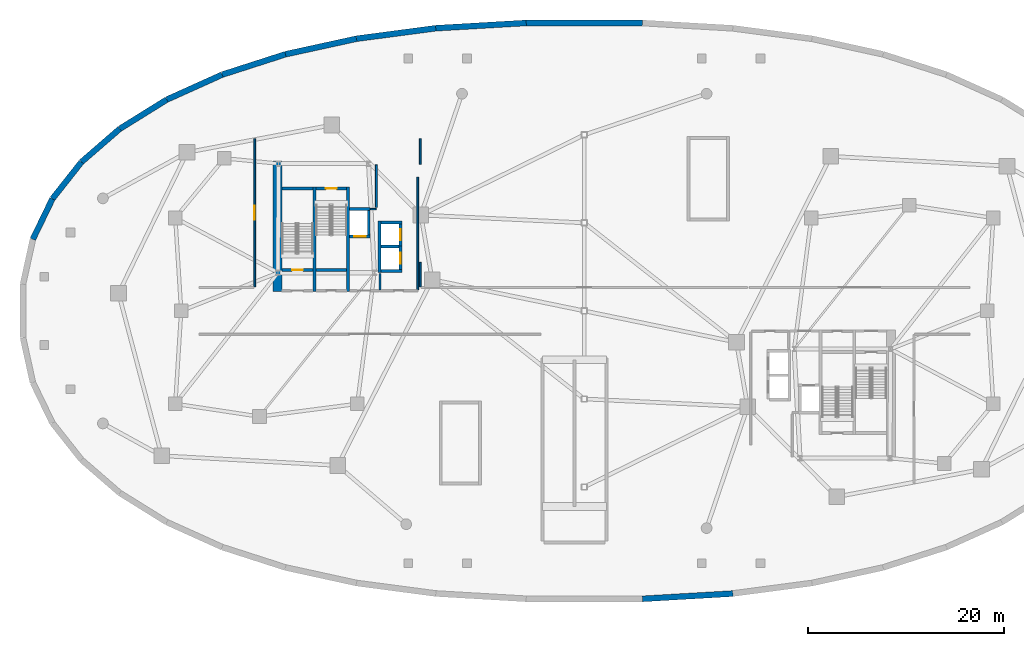
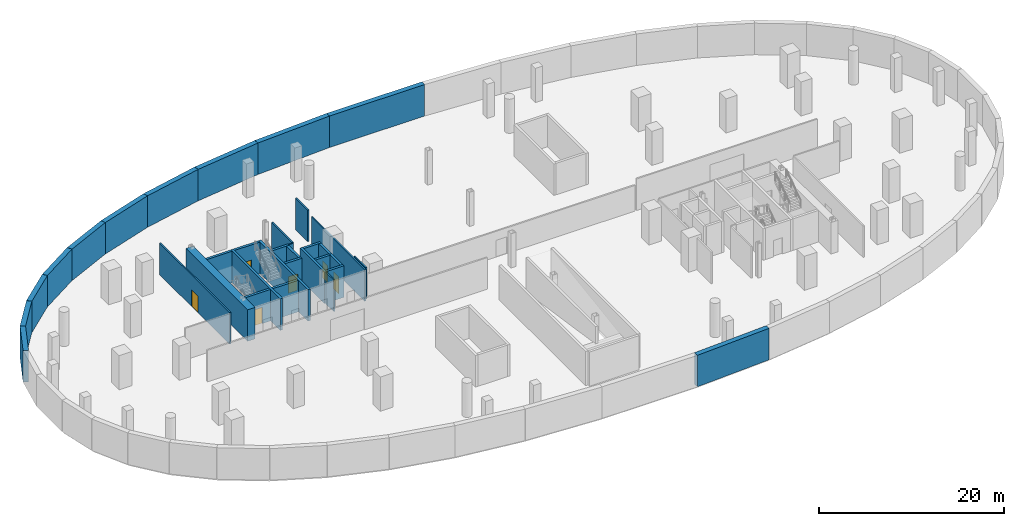
# One storey, part 6 of 10: 34 walls, 6 doors, 6 openings.
"""IFC4 building model written with IfcOpenShell, lengths in metres."""

from ifc_helpers import new_model, si_unit, direction, frame, frame_2d, origin, place, context, subcontext, project, spatial, rectangle, extrude, material, layer, layer_set, type_object, element, fill, save


model = new_model("IFC4")

# Units and contexts
model_context = context("Model", 3, precision=1e-05, world=origin(), true_north=direction((0.0, 1.0)))
body_context = subcontext(model_context, "Body", "Model", "MODEL_VIEW")
ifc_project = project(units=[si_unit("LENGTHUNIT", "METRE"), si_unit("AREAUNIT", "SQUARE_METRE"), si_unit("VOLUMEUNIT", "CUBIC_METRE"), si_unit("PLANEANGLEUNIT", "RADIAN"), si_unit("MASSUNIT", "GRAM", prefix="KILO"), si_unit("THERMODYNAMICTEMPERATUREUNIT", "KELVIN"), si_unit("POWERUNIT", "WATT")], contexts=[model_context])

# Site, building, storey
site_placement = place(None, origin())
site = spatial("IfcSite", under=ifc_project, at=site_placement, CompositionType="ELEMENT")
building_placement = place(site_placement, origin())
building = spatial("IfcBuilding", under=site, at=building_placement, Name="Cundina Bronze Exchange", CompositionType="ELEMENT")
storey_placement = place(building_placement, frame((0.0, 0.0, -4.5)))
storey = spatial("IfcBuildingStorey", under=building, at=storey_placement, Name="B01", CompositionType="ELEMENT", Elevation=-4.5)

# Walls
ifc_material_1 = material(Name="Gypsum Fireboard Partition EI120")
ifc_layer_1 = layer(ifc_material_1, 0.179931640625, Name="Gypsum Fireboard Partition EI120")
ifc_layer_set_1 = layer_set([ifc_layer_1], Name="Gypsum Fireboard Partition EI120")
wall_type_1 = type_object("IfcWallType", Name="WL-COR-180", PredefinedType="PARTITIONING", material=ifc_layer_set_1)
wall_1_placement = place(storey_placement, frame((-20.889892578125, 2.14990234375, 0.0), z_axis=(0.0, 0.0, 1.0), x_axis=(0.0, 1.0, 0.0)))
element("IfcWall", 1, at=wall_1_placement, inside=storey, type_object=wall_type_1, Name="B01 W Firefighting Lobby Side Wall", PredefinedType="PARTITIONING", context=body_context, shape_type="SweptSolid", body=[
    extrude(rectangle(XDim=1.650146484375, YDim=0.179931640625, at=frame_2d((0.8251953125, 0.0))), origin(), (0.0, 0.0, 1.0), 4.14990234375),
])
wall_2_placement = place(storey_placement, frame((-17.02001953125, 2.169921875, 0.0), z_axis=(0.0, 0.0, 1.0), x_axis=(0.0, 1.0, 0.0)))
element("IfcWall", 2, at=wall_2_placement, inside=storey, type_object=wall_type_1, Name="B01 Interior Partition 001", PredefinedType="PARTITIONING", context=body_context, shape_type="SweptSolid", body=[
    extrude(rectangle(XDim=11.510009765625, YDim=0.179931640625, at=frame_2d((5.7548828125, 0.0))), origin(), (0.0, 0.0, 1.0), 4.14990234375),
])
wall_3_placement = place(storey_placement, frame((-21.25, 10.570068359375, 0.0), z_axis=(0.0, 0.0, 1.0), x_axis=(0.0, 1.0, 0.0)))
element("IfcWall", 3, at=wall_3_placement, inside=storey, type_object=wall_type_1, Name="B01 Interior Partition 004", PredefinedType="PARTITIONING", context=body_context, shape_type="SweptSolid", body=[
    extrude(rectangle(XDim=4.35986328125, YDim=0.179931640625, at=frame_2d((2.179931640625, 0.0))), origin(), (0.0, 0.0, 1.0), 4.14990234375),
])
wall_4_placement = place(storey_placement, frame((-16.760009765625, 14.974609375, 0.0), z_axis=(0.0, 0.0, 1.0), x_axis=(0.0, 1.0, 0.0)))
element("IfcWall", 4, at=wall_4_placement, inside=storey, type_object=wall_type_1, Name="B01 Interior Partition 013", PredefinedType="PARTITIONING", context=body_context, shape_type="SweptSolid", body=[
    extrude(rectangle(XDim=2.630615234375, YDim=0.179931640625, at=frame_2d((1.3154296875, 0.0))), origin(), (0.0, 0.0, 1.0), 4.14990234375),
])
wall_5_placement = place(storey_placement, frame((-16.760009765625, 2.4599609375, 0.0), z_axis=(0.0, 0.0, 1.0), x_axis=(0.0, 1.0, 0.0)))
element("IfcWall", 5, at=wall_5_placement, inside=storey, type_object=wall_type_1, Name="B01 Interior Partition 014", PredefinedType="PARTITIONING", context=body_context, shape_type="SweptSolid", body=[
    extrude(rectangle(XDim=2.495361328125, YDim=0.179931640625, at=frame_2d((1.24755859375, 0.0))), origin(), (0.0, 0.0, 1.0), 4.14990234375),
])

# Wall, opening, door
wall_6_placement = place(storey_placement, frame((-33.68994140625, 17.605224609375, 0.0), z_axis=(0.0, 0.0, 1.0), x_axis=(0.0, -1.0, 0.0)))
wall_6 = element("IfcWall", 6, at=wall_6_placement, inside=storey, type_object=wall_type_1, Name="B01 Interior Partition 015", PredefinedType="PARTITIONING", context=body_context, shape_type="SweptSolid", body=[
    extrude(rectangle(XDim=15.145263671875, YDim=0.179931640625, at=frame_2d((7.57275390625, 0.0))), origin(), (0.0, 0.0, 1.0), 4.14990234375),
])
opening_1_placement = place(wall_6_placement, frame((6.87255859375, 0.0, 0.0)))
opening_1 = element("IfcOpeningElement", 7, at=opening_1_placement, cuts=wall_6, Name="Opening DP-01", PredefinedType="OPENING", context=body_context, shape_type="SweptSolid", body=[
    extrude(rectangle(XDim=1.39990234375, YDim=2.199951171875, at=frame_2d((0.699951171875, 1.10009765625))), frame((0.0, 0.099853515625, 0.0), z_axis=(0.0, -1.0, 0.0), x_axis=(1.0, 0.0, 0.0)), (0.0, 0.0, 1.0), 0.199951171875),
])
ifc_material_2 = material(Name="Steel ASTM A36 Painted", Category="steel")
door_type_1 = type_object("IfcDoorType", Name="DR-PLT-1400", OperationType="NOTDEFINED", PredefinedType="DOOR", material=ifc_material_2)
door_1_placement = place(opening_1_placement, origin())
door_1 = element("IfcDoor", 8, at=door_1_placement, inside=storey, type_object=door_type_1, Name="B01 Interior Door 015", OperationType="SINGLE_SWING_RIGHT", OverallHeight=2.199951171875, OverallWidth=1.39990234375, PredefinedType="DOOR", context=body_context, shape_type="SweptSolid", body=[
    extrude(rectangle(XDim=1.39990234375, YDim=2.199951171875, at=frame_2d((0.699951171875, 1.10009765625))), frame((0.0, 0.02490234375, 0.0), z_axis=(0.0, -1.0, 0.0), x_axis=(1.0, 0.0, 0.0)), (0.0, 0.0, 1.0), 0.050048828125),
])
fill(opening_1, door_1)

# Walls
ifc_material_3 = material(Name="Concrete C60/75", Category="concrete")
ifc_layer_2 = layer(ifc_material_3, 0.89990234375, Name="Concrete C60/75", Category="concrete")
ifc_layer_set_2 = layer_set([ifc_layer_2], Name="Concrete C60/75")
wall_type_2 = type_object("IfcWallType", Name="WL-CORE-900", PredefinedType="SHEAR", material=ifc_layer_set_2)
wall_7_placement = place(storey_placement, frame((-31.35009765625, 1.969970703125, 0.0), z_axis=(0.0, 0.0, 1.0), x_axis=(0.0, 1.0, 0.0)))
element("IfcWall", 9, at=wall_7_placement, inside=storey, type_object=wall_type_2, Name="B01 W Primary Core Shear Spine Wall", PredefinedType="SHEAR", context=body_context, shape_type="SweptSolid", body=[
    extrude(rectangle(XDim=13.330078125, YDim=0.89990234375, at=frame_2d((6.6650390625, 0.0))), origin(), (0.0, 0.0, 1.0), 4.14990234375),
])
ifc_material_4 = material(Name="Concrete C40/50", Category="concrete")
ifc_layer_3 = layer(ifc_material_4, 0.60009765625, Name="Concrete C40/50", Category="concrete")
ifc_layer_set_3 = layer_set([ifc_layer_3], Name="Concrete C40/50")
wall_type_3 = type_object("IfcWallType", Name="WL-RET-600", PredefinedType="USERDEFINED", material=ifc_layer_set_3)
wall_8_placement = place(storey_placement, frame((5.93603515625, 29.431884765625, 0.0), z_axis=(0.0, 0.0, 1.0), x_axis=(-1.0, 0.0, 0.0)))
element("IfcWall", 10, at=wall_8_placement, inside=storey, type_object=wall_type_3, Name="B01 Perimeter Concrete Retaining Wall 11", ObjectType="RETAININGWALL", PredefinedType="USERDEFINED", context=body_context, shape_type="SweptSolid", body=[
    extrude(rectangle(XDim=11.8720703125, YDim=0.60009765625, at=frame_2d((5.93603515625, 0.0))), origin(), (0.0, 0.0, 1.0), 4.14990234375),
])
wall_9_placement = place(storey_placement, frame((-5.93603515625, 29.431884765625, 0.0), z_axis=(0.0, 0.0, 1.0), x_axis=(-0.998305864477, -0.058184198455, 0.0)))
element("IfcWall", 11, at=wall_9_placement, inside=storey, type_object=wall_type_3, Name="B01 Perimeter Concrete Retaining Wall 12", ObjectType="RETAININGWALL", PredefinedType="USERDEFINED", context=body_context, shape_type="SweptSolid", body=[
    extrude(rectangle(XDim=9.260498046875, YDim=0.60009765625, at=frame_2d((4.63037109375, 0.0))), origin(), (0.0, 0.0, 1.0), 4.14990234375),
])
wall_10_placement = place(storey_placement, frame((-15.180908203125, 28.89306640625, 0.0), z_axis=(0.0, 0.0, 1.0), x_axis=(-0.991355566156, -0.131202673187, 0.0)))
element("IfcWall", 12, at=wall_10_placement, inside=storey, type_object=wall_type_3, Name="B01 Perimeter Concrete Retaining Wall 13", ObjectType="RETAININGWALL", PredefinedType="USERDEFINED", context=body_context, shape_type="SweptSolid", body=[
    extrude(rectangle(XDim=8.170654296875, YDim=0.60009765625, at=frame_2d((4.08544921875, 0.0))), origin(), (0.0, 0.0, 1.0), 4.14990234375),
])
wall_11_placement = place(storey_placement, frame((-23.281005859375, 27.821044921875, 0.0), z_axis=(0.0, 0.0, 1.0), x_axis=(-0.976902373216, -0.213686109059, 0.0)))
element("IfcWall", 13, at=wall_11_placement, inside=storey, type_object=wall_type_3, Name="B01 Perimeter Concrete Retaining Wall 14", ObjectType="RETAININGWALL", PredefinedType="USERDEFINED", context=body_context, shape_type="SweptSolid", body=[
    extrude(rectangle(XDim=7.436767578125, YDim=0.60009765625, at=frame_2d((3.71826171875, 0.0))), origin(), (0.0, 0.0, 1.0), 4.14990234375),
])
wall_12_placement = place(storey_placement, frame((-30.5458984375, 26.23193359375, 0.0), z_axis=(0.0, 0.0, 1.0), x_axis=(-0.951843868052, -0.306583187492, 0.0)))
element("IfcWall", 14, at=wall_12_placement, inside=storey, type_object=wall_type_3, Name="B01 Perimeter Concrete Retaining Wall 15", ObjectType="RETAININGWALL", PredefinedType="USERDEFINED", context=body_context, shape_type="SweptSolid", body=[
    extrude(rectangle(XDim=6.800537109375, YDim=0.60009765625, at=frame_2d((3.400390625, 0.0))), origin(), (0.0, 0.0, 1.0), 4.14990234375),
])
wall_13_placement = place(storey_placement, frame((-37.01904296875, 24.14697265625, 0.0), z_axis=(0.0, 0.0, 1.0), x_axis=(-0.911643952457, -0.410980904603, 0.0)))
element("IfcWall", 15, at=wall_13_placement, inside=storey, type_object=wall_type_3, Name="B01 Perimeter Concrete Retaining Wall 16", ObjectType="RETAININGWALL", PredefinedType="USERDEFINED", context=body_context, shape_type="SweptSolid", body=[
    extrude(rectangle(XDim=6.20947265625, YDim=0.60009765625, at=frame_2d((3.104736328125, 0.0))), origin(), (0.0, 0.0, 1.0), 4.14990234375),
])
wall_14_placement = place(storey_placement, frame((-42.679931640625, 21.594970703125, 0.0), z_axis=(0.0, 0.0, 1.0), x_axis=(-0.849299437699, -0.527911417877, 0.0)))
element("IfcWall", 16, at=wall_14_placement, inside=storey, type_object=wall_type_3, Name="B01 Perimeter Concrete Retaining Wall 17", ObjectType="RETAININGWALL", PredefinedType="USERDEFINED", context=body_context, shape_type="SweptSolid", body=[
    extrude(rectangle(XDim=5.66015625, YDim=0.60009765625, at=frame_2d((2.830078125, 0.0))), origin(), (0.0, 0.0, 1.0), 4.14990234375),
])
wall_15_placement = place(storey_placement, frame((-47.487060546875, 18.60693359375, 0.0), z_axis=(0.0, 0.0, 1.0), x_axis=(-0.755564536906, -0.655074217605, 0.0)))
element("IfcWall", 17, at=wall_15_placement, inside=storey, type_object=wall_type_3, Name="B01 Perimeter Concrete Retaining Wall 18", ObjectType="RETAININGWALL", PredefinedType="USERDEFINED", context=body_context, shape_type="SweptSolid", body=[
    extrude(rectangle(XDim=5.1748046875, YDim=0.60009765625, at=frame_2d((2.58740234375, 0.0))), origin(), (0.0, 0.0, 1.0), 4.14990234375),
])
wall_16_placement = place(storey_placement, frame((-51.39697265625, 15.217041015625, 0.0), z_axis=(0.0, 0.0, 1.0), x_axis=(-0.619447864054, -0.785037797637, 0.0)))
element("IfcWall", 18, at=wall_16_placement, inside=storey, type_object=wall_type_3, Name="B01 Perimeter Concrete Retaining Wall 19", ObjectType="RETAININGWALL", PredefinedType="USERDEFINED", context=body_context, shape_type="SweptSolid", body=[
    extrude(rectangle(XDim=4.796142578125, YDim=0.60009765625, at=frame_2d((2.39794921875, 0.0))), origin(), (0.0, 0.0, 1.0), 4.14990234375),
])
wall_17_placement = place(storey_placement, frame((-54.367919921875, 11.451904296875, 0.0), z_axis=(0.0, 0.0, 1.0), x_axis=(-0.435772260249, -0.900056963307, 0.0)))
element("IfcWall", 19, at=wall_17_placement, inside=storey, type_object=wall_type_3, Name="B01 Perimeter Concrete Retaining Wall 20", ObjectType="RETAININGWALL", PredefinedType="USERDEFINED", context=body_context, shape_type="SweptSolid", body=[
    extrude(rectangle(XDim=4.589599609375, YDim=0.60009765625, at=frame_2d((2.294921875, 0.0))), origin(), (0.0, 0.0, 1.0), 4.14990234375),
])
wall_18_placement = place(storey_placement, frame((5.93603515625, -29.431884765625, 0.0), z_axis=(0.0, 0.0, 1.0), x_axis=(0.998305864477, 0.058184198455, 0.0)))
element("IfcWall", 20, at=wall_18_placement, inside=storey, type_object=wall_type_3, Name="B01 Perimeter Concrete Retaining Wall 34", ObjectType="RETAININGWALL", PredefinedType="USERDEFINED", context=body_context, shape_type="SweptSolid", body=[
    extrude(rectangle(XDim=9.260498046875, YDim=0.60009765625, at=frame_2d((4.63037109375, 0.0))), origin(), (0.0, 0.0, 1.0), 4.14990234375),
])
ifc_material_5 = material(Name="Concrete C50/60", Category="concrete")
ifc_layer_4 = layer(ifc_material_5, 0.300048828125, Name="Concrete C50/60", Category="concrete")
ifc_layer_set_4 = layer_set([ifc_layer_4], Name="Concrete C50/60")
wall_type_4 = type_object("IfcWallType", Name="WL-SHFT-300", PredefinedType="SHEAR", material=ifc_layer_set_4)
for number, where, z_axis, x_axis, name in (
    (21, (-27.590087890625, 1.969970703125, 0.0), (0.0, 0.0, 1.0), (0.0, 1.0, 0.0), "B01 W Stair Shaft Dividing Shear Wall"),
    (22, (-24.1298828125, 1.969970703125, 0.0), (0.0, 0.0, 1.0), (0.0, 1.0, 0.0), "B01 W Stair 2 East Shear Wall"),
):
    element("IfcWall", number, at=place(storey_placement, frame(where, z_axis=z_axis, x_axis=x_axis)), inside=storey, type_object=wall_type_4, Name=name, PredefinedType="SHEAR", context=body_context, shape_type="SweptSolid", body=[
        extrude(rectangle(XDim=10.679931640625, YDim=0.300048828125, at=frame_2d((5.33984375, 0.0))), origin(), (0.0, 0.0, 1.0), 4.14990234375),
    ])

# Wall, opening, door
wall_19_placement = place(storey_placement, frame((-30.89990234375, 4.199951171875, 0.0), z_axis=(0.0, 0.0, 1.0), x_axis=(1.0, 0.0, 0.0)))
wall_19 = element("IfcWall", 23, at=wall_19_placement, inside=storey, type_object=wall_type_4, Name="B01 Stair W1 Landing Wall", PredefinedType="SHEAR", context=body_context, shape_type="SweptSolid", body=[
    extrude(rectangle(XDim=3.159912109375, YDim=0.300048828125, at=frame_2d((1.580078125, 0.0))), origin(), (0.0, 0.0, 1.0), 4.14990234375),
])
opening_2_placement = place(wall_19_placement, frame((1.030029296875, 0.0, 0.0)))
opening_2 = element("IfcOpeningElement", 24, at=opening_2_placement, cuts=wall_19, Name="Opening DS-01", PredefinedType="OPENING", context=body_context, shape_type="SweptSolid", body=[
    extrude(rectangle(XDim=1.10009765625, YDim=2.14990234375, at=frame_2d((0.550048828125, 1.074951171875))), frame((0.0, 0.159912109375, 0.0), z_axis=(0.0, -1.0, 0.0), x_axis=(1.0, 0.0, 0.0)), (0.0, 0.0, 1.0), 0.320068359375),
])
door_type_2 = type_object("IfcDoorType", Name="DR-STR-1100", OperationType="NOTDEFINED", PredefinedType="DOOR", material=ifc_material_2)
door_2_placement = place(opening_2_placement, origin())
door_2 = element("IfcDoor", 25, at=door_2_placement, inside=storey, type_object=door_type_2, Name="B01 Smokeproof Stair W1 Door", OperationType="SINGLE_SWING_RIGHT", OverallHeight=2.14990234375, OverallWidth=1.10009765625, PredefinedType="DOOR", context=body_context, shape_type="SweptSolid", body=[
    extrude(rectangle(XDim=1.10009765625, YDim=2.14990234375, at=frame_2d((0.550048828125, 1.074951171875))), frame((0.0, 0.02490234375, 0.0), z_axis=(0.0, -1.0, 0.0), x_axis=(1.0, 0.0, 0.0)), (0.0, 0.0, 1.0), 0.050048828125),
])
fill(opening_2, door_2)

# Wall
wall_20_placement = place(storey_placement, frame((-30.89990234375, 12.5, 0.0), z_axis=(0.0, 0.0, 1.0), x_axis=(1.0, 0.0, 0.0)))
element("IfcWall", 26, at=wall_20_placement, inside=storey, type_object=wall_type_4, Name="B01 Stair W1 Far Shaft Wall", PredefinedType="SHEAR", context=body_context, shape_type="SweptSolid", body=[
    extrude(rectangle(XDim=3.159912109375, YDim=0.300048828125, at=frame_2d((1.580078125, 0.0))), origin(), (0.0, 0.0, 1.0), 4.14990234375),
])

# Wall, opening, door
wall_21_placement = place(storey_placement, frame((-27.43994140625, 12.5, 0.0), z_axis=(0.0, 0.0, 1.0), x_axis=(1.0, 0.0, 0.0)))
wall_21 = element("IfcWall", 27, at=wall_21_placement, inside=storey, type_object=wall_type_4, Name="B01 Stair W2 Landing Wall", PredefinedType="SHEAR", context=body_context, shape_type="SweptSolid", body=[
    extrude(rectangle(XDim=3.159912109375, YDim=0.300048828125, at=frame_2d((1.580078125, 0.0))), origin(), (0.0, 0.0, 1.0), 4.14990234375),
])
opening_3_placement = place(wall_21_placement, frame((1.030029296875, 0.0, 0.0)))
opening_3 = element("IfcOpeningElement", 28, at=opening_3_placement, cuts=wall_21, Name="Opening DS-01", PredefinedType="OPENING", context=body_context, shape_type="SweptSolid", body=[
    extrude(rectangle(XDim=1.10009765625, YDim=2.14990234375, at=frame_2d((0.550048828125, 1.074951171875))), frame((0.0, 0.159912109375, 0.0), z_axis=(0.0, -1.0, 0.0), x_axis=(1.0, 0.0, 0.0)), (0.0, 0.0, 1.0), 0.320068359375),
])
door_3_placement = place(opening_3_placement, origin())
door_3 = element("IfcDoor", 29, at=door_3_placement, inside=storey, type_object=door_type_2, Name="B01 Smokeproof Stair W2 Door", OperationType="SINGLE_SWING_LEFT", OverallHeight=2.14990234375, OverallWidth=1.10009765625, PredefinedType="DOOR", context=body_context, shape_type="SweptSolid", body=[
    extrude(rectangle(XDim=1.10009765625, YDim=2.14990234375, at=frame_2d((0.550048828125, 1.074951171875))), frame((0.0, 0.02490234375, 0.0), z_axis=(0.0, -1.0, 0.0), x_axis=(1.0, 0.0, 0.0)), (0.0, 0.0, 1.0), 0.050048828125),
])
fill(opening_3, door_3)

# Wall
wall_22_placement = place(storey_placement, frame((-27.43994140625, 4.199951171875, 0.0), z_axis=(0.0, 0.0, 1.0), x_axis=(1.0, 0.0, 0.0)))
element("IfcWall", 30, at=wall_22_placement, inside=storey, type_object=wall_type_4, Name="B01 Stair W2 Far Shaft Wall", PredefinedType="SHEAR", context=body_context, shape_type="SweptSolid", body=[
    extrude(rectangle(XDim=3.159912109375, YDim=0.300048828125, at=frame_2d((1.580078125, 0.0))), origin(), (0.0, 0.0, 1.0), 4.14990234375),
])

# Wall, opening, door
wall_23_placement = place(storey_placement, frame((-23.97998046875, 7.60009765625, 0.0), z_axis=(0.0, 0.0, 1.0), x_axis=(1.0, 0.0, 0.0)))
wall_23 = element("IfcWall", 31, at=wall_23_placement, inside=storey, type_object=wall_type_4, Name="B01 FFL-W Hoistway Front Wall", PredefinedType="SHEAR", context=body_context, shape_type="SweptSolid", body=[
    extrude(rectangle(XDim=2.10009765625, YDim=0.300048828125, at=frame_2d((1.050048828125, 0.0))), origin(), (0.0, 0.0, 1.0), 4.14990234375),
])
opening_4_placement = place(wall_23_placement, frame((0.47509765625, 0.0, 0.0)))
opening_4 = element("IfcOpeningElement", 32, at=opening_4_placement, cuts=wall_23, Name="Opening LD-01", PredefinedType="OPENING", context=body_context, shape_type="SweptSolid", body=[
    extrude(rectangle(XDim=1.14990234375, YDim=2.199951171875, at=frame_2d((0.574951171875, 1.10009765625))), frame((0.0, 0.159912109375, 0.0), z_axis=(0.0, -1.0, 0.0), x_axis=(1.0, 0.0, 0.0)), (0.0, 0.0, 1.0), 0.320068359375),
])
door_type_3 = type_object("IfcDoorType", Name="DR-LND-1150", OperationType="NOTDEFINED", PredefinedType="TRAPDOOR", material=ifc_material_2)
door_4_placement = place(opening_4_placement, origin())
door_4 = element("IfcDoor", 33, at=door_4_placement, inside=storey, type_object=door_type_3, Name="B01 FFL-W Sliding Landing Door", OperationType="SLIDING_TO_LEFT", OverallHeight=2.199951171875, OverallWidth=1.14990234375, PredefinedType="TRAPDOOR", context=body_context, shape_type="SweptSolid", body=[
    extrude(rectangle(XDim=1.14990234375, YDim=2.199951171875, at=frame_2d((0.574951171875, 1.10009765625))), frame((0.0, 0.02490234375, 0.0), z_axis=(0.0, -1.0, 0.0), x_axis=(1.0, 0.0, 0.0)), (0.0, 0.0, 1.0), 0.050048828125),
])
fill(opening_4, door_4)

# Walls
wall_24_placement = place(storey_placement, frame((-23.97998046875, 10.39990234375, 0.0), z_axis=(0.0, 0.0, 1.0), x_axis=(1.0, 0.0, 0.0)))
element("IfcWall", 34, at=wall_24_placement, inside=storey, type_object=wall_type_4, Name="B01 FFL-W Hoistway Back Wall", PredefinedType="SHEAR", context=body_context, shape_type="SweptSolid", body=[
    extrude(rectangle(XDim=2.10009765625, YDim=0.300048828125, at=frame_2d((1.050048828125, 0.0))), origin(), (0.0, 0.0, 1.0), 4.14990234375),
])
wall_25_placement = place(storey_placement, frame((-22.030029296875, 7.75, 0.0), z_axis=(0.0, 0.0, 1.0), x_axis=(0.0, 1.0, 0.0)))
element("IfcWall", 35, at=wall_25_placement, inside=storey, type_object=wall_type_4, Name="B01 FFL-W Hoistway Side Wall", PredefinedType="SHEAR", context=body_context, shape_type="SweptSolid", body=[
    extrude(rectangle(XDim=2.5, YDim=0.300048828125, at=frame_2d((1.25, 0.0))), origin(), (0.0, 0.0, 1.0), 4.14990234375),
])
wall_26_placement = place(storey_placement, frame((-20.949951171875, 3.949951171875, 0.0), z_axis=(0.0, 0.0, 1.0), x_axis=(0.0, 1.0, 0.0)))
element("IfcWall", 36, at=wall_26_placement, inside=storey, type_object=wall_type_4, Name="B01 W Passenger Bank Hoistway Back Wall", PredefinedType="SHEAR", context=body_context, shape_type="SweptSolid", body=[
    extrude(rectangle(XDim=5.25, YDim=0.300048828125, at=frame_2d((2.625, 0.0))), origin(), (0.0, 0.0, 1.0), 4.14990234375),
])
for number, where, z_axis, x_axis, name in (
    (37, (-20.800048828125, 4.10009765625, 0.0), (0.0, 0.0, 1.0), (1.0, 0.0, 0.0), "B01 W Passenger Bank South Cap Wall"),
    (38, (-20.800048828125, 9.050048828125, 0.0), (0.0, 0.0, 1.0), (1.0, 0.0, 0.0), "B01 W Passenger Bank North Cap Wall"),
):
    element("IfcWall", number, at=place(storey_placement, frame(where, z_axis=z_axis, x_axis=x_axis)), inside=storey, type_object=wall_type_4, Name=name, PredefinedType="SHEAR", context=body_context, shape_type="SweptSolid", body=[
        extrude(rectangle(XDim=2.150146484375, YDim=0.300048828125, at=frame_2d((1.0751953125, 0.0))), origin(), (0.0, 0.0, 1.0), 4.14990234375),
    ])
wall_27_placement = place(storey_placement, frame((-20.800048828125, 6.574951171875, 0.0), z_axis=(0.0, 0.0, 1.0), x_axis=(1.0, 0.0, 0.0)))
element("IfcWall", 39, at=wall_27_placement, inside=storey, type_object=wall_type_4, Name="B01 W Passenger Hoistway Divider 1", PredefinedType="SHEAR", context=body_context, shape_type="SweptSolid", body=[
    extrude(rectangle(XDim=1.85009765625, YDim=0.300048828125, at=frame_2d((0.925048828125, 0.0))), origin(), (0.0, 0.0, 1.0), 4.14990234375),
])

# Wall, opening, door
wall_28_placement = place(storey_placement, frame((-18.800048828125, 4.1298828125, 0.0), z_axis=(0.0, 0.0, 1.0), x_axis=(0.0, 1.0, 0.0)))
wall_28 = element("IfcWall", 40, at=wall_28_placement, inside=storey, type_object=wall_type_4, Name="B01 PL-W2 Hoistway Front Wall", PredefinedType="SHEAR", context=body_context, shape_type="SweptSolid", body=[
    extrude(rectangle(XDim=2.490234375, YDim=0.300048828125, at=frame_2d((1.2451171875, 0.0))), origin(), (0.0, 0.0, 1.0), 4.14990234375),
])
opening_5_placement = place(wall_28_placement, frame((0.669921875, 0.0, 0.0)))
opening_5 = element("IfcOpeningElement", 41, at=opening_5_placement, cuts=wall_28, Name="Opening LD-01", PredefinedType="OPENING", context=body_context, shape_type="SweptSolid", body=[
    extrude(rectangle(XDim=1.14990234375, YDim=2.199951171875, at=frame_2d((0.574951171875, 1.10009765625))), frame((0.0, 0.159912109375, 0.0), z_axis=(0.0, -1.0, 0.0), x_axis=(1.0, 0.0, 0.0)), (0.0, 0.0, 1.0), 0.320068359375),
])
door_5_placement = place(opening_5_placement, origin())
door_5 = element("IfcDoor", 42, at=door_5_placement, inside=storey, type_object=door_type_3, Name="B01 PL-W2 Sliding Landing Door", OperationType="SLIDING_TO_LEFT", OverallHeight=2.199951171875, OverallWidth=1.14990234375, PredefinedType="TRAPDOOR", context=body_context, shape_type="SweptSolid", body=[
    extrude(rectangle(XDim=1.14990234375, YDim=2.199951171875, at=frame_2d((0.574951171875, 1.10009765625))), frame((0.0, 0.02490234375, 0.0), z_axis=(0.0, -1.0, 0.0), x_axis=(1.0, 0.0, 0.0)), (0.0, 0.0, 1.0), 0.050048828125),
])
fill(opening_5, door_5)

wall_29_placement = place(storey_placement, frame((-18.800048828125, 6.530029296875, 0.0), z_axis=(0.0, 0.0, 1.0), x_axis=(0.0, 1.0, 0.0)))
wall_29 = element("IfcWall", 43, at=wall_29_placement, inside=storey, type_object=wall_type_4, Name="B01 PL-W1 Hoistway Front Wall", PredefinedType="SHEAR", context=body_context, shape_type="SweptSolid", body=[
    extrude(rectangle(XDim=2.489990234375, YDim=0.300048828125, at=frame_2d((1.2451171875, 0.0))), origin(), (0.0, 0.0, 1.0), 4.14990234375),
])
opening_6_placement = place(wall_29_placement, frame((0.669921875, 0.0, 0.0)))
opening_6 = element("IfcOpeningElement", 44, at=opening_6_placement, cuts=wall_29, Name="Opening LD-01", PredefinedType="OPENING", context=body_context, shape_type="SweptSolid", body=[
    extrude(rectangle(XDim=1.14990234375, YDim=2.199951171875, at=frame_2d((0.574951171875, 1.10009765625))), frame((0.0, 0.159912109375, 0.0), z_axis=(0.0, -1.0, 0.0), x_axis=(1.0, 0.0, 0.0)), (0.0, 0.0, 1.0), 0.320068359375),
])
door_6_placement = place(opening_6_placement, origin())
door_6 = element("IfcDoor", 45, at=door_6_placement, inside=storey, type_object=door_type_3, Name="B01 PL-W1 Sliding Landing Door", OperationType="SLIDING_TO_LEFT", OverallHeight=2.199951171875, OverallWidth=1.14990234375, PredefinedType="TRAPDOOR", context=body_context, shape_type="SweptSolid", body=[
    extrude(rectangle(XDim=1.14990234375, YDim=2.199951171875, at=frame_2d((0.574951171875, 1.10009765625))), frame((0.0, 0.02490234375, 0.0), z_axis=(0.0, -1.0, 0.0), x_axis=(1.0, 0.0, 0.0)), (0.0, 0.0, 1.0), 0.050048828125),
])
fill(opening_6, door_6)

# Wall
ifc_material_6 = material(Name="Moisture-Resistant Masonry Block Grade M15", Category="masonry")
ifc_layer_5 = layer(ifc_material_6, 0.139892578125, Name="Moisture-Resistant Masonry Block Grade M15", Category="masonry")
ifc_layer_set_5 = layer_set([ifc_layer_5], Name="Moisture-Resistant Masonry Block Grade M15")
wall_type_5 = type_object("IfcWallType", Name="WL-WET-140", PredefinedType="PARTITIONING", material=ifc_layer_set_5)
wall_30_placement = place(storey_placement, frame((-21.860107421875, 10.39990234375, 0.0), z_axis=(0.0, 0.0, 1.0), x_axis=(1.0, 0.0, 0.0)))
element("IfcWall", 46, at=wall_30_placement, inside=storey, type_object=wall_type_5, Name="B01 Interior Partition 003", PredefinedType="PARTITIONING", context=body_context, shape_type="SweptSolid", body=[
    extrude(rectangle(XDim=0.590087890625, YDim=0.139892578125, at=frame_2d((0.294921875, 0.0))), origin(), (0.0, 0.0, 1.0), 4.14990234375),
])

save(model, "model.ifc")
